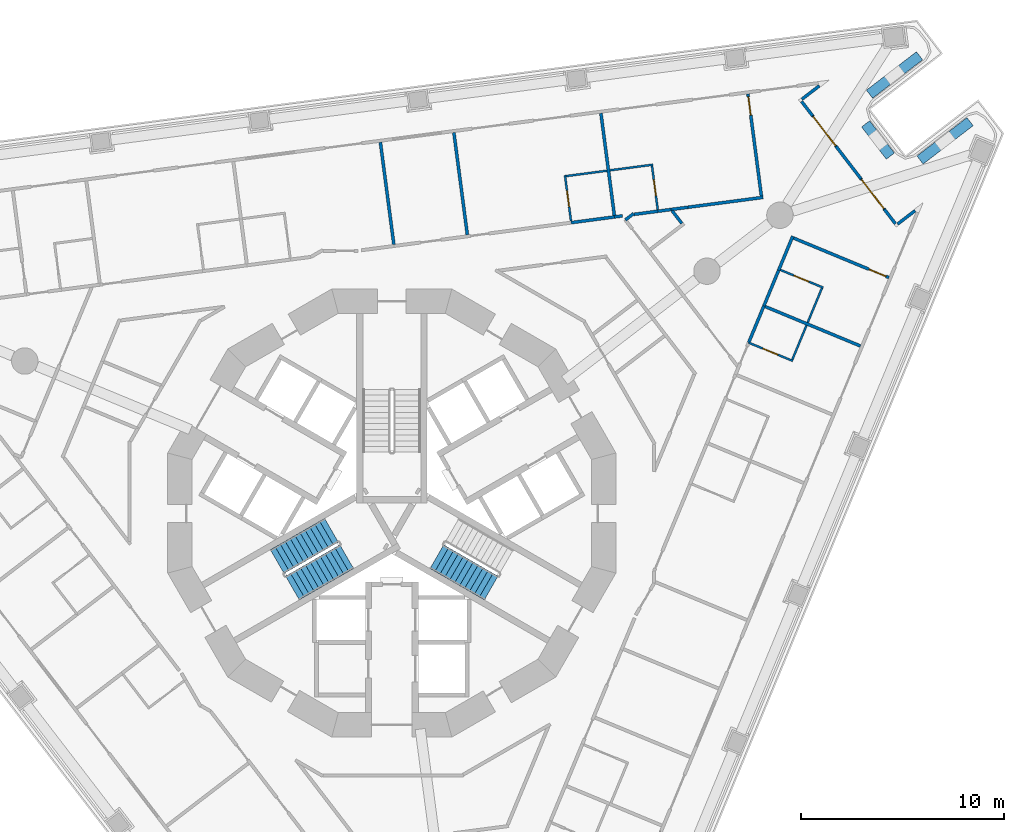
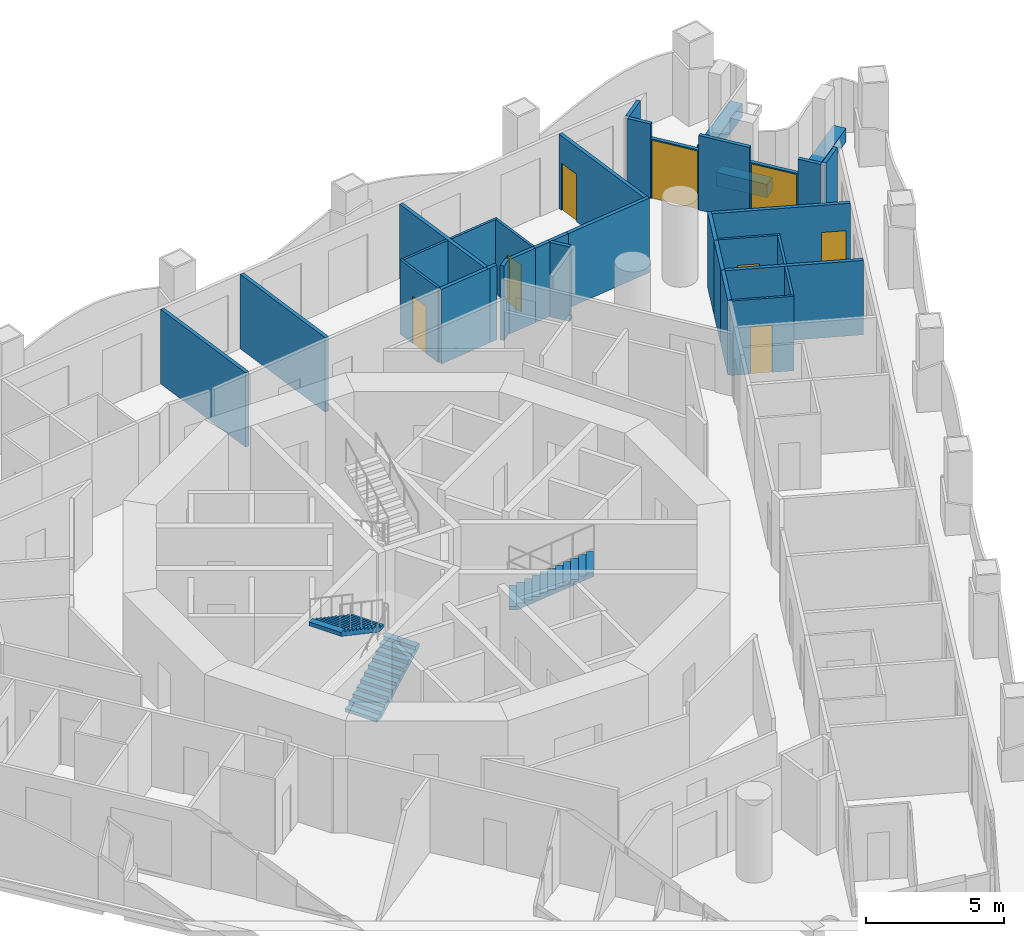
# One storey, part 10 of 19: 35 walls, 8 doors, 3 stair flights, 8 openings, 2 elements without a shape of their own.
"""IFC4 building model written with IfcOpenShell, lengths in metres."""

from ifc_helpers import new_model, si_unit, direction, frame, frame_2d, origin, place, context, subcontext, project, spatial, polyline, rectangle, outline, extrude, material, layer, layer_set, type_object, element, fill, aggregate, save


model = new_model("IFC4")

# Units and contexts
model_context = context("Model", 3, precision=1e-05, world=origin(), true_north=direction((0.0, 1.0)))
body_context = subcontext(model_context, "Body", "Model", "MODEL_VIEW")
ifc_project = project(units=[si_unit("LENGTHUNIT", "METRE"), si_unit("AREAUNIT", "SQUARE_METRE"), si_unit("VOLUMEUNIT", "CUBIC_METRE"), si_unit("PLANEANGLEUNIT", "RADIAN"), si_unit("MASSUNIT", "GRAM", prefix="KILO")], contexts=[model_context])

# Site, building, storey
site_placement = place(None, origin())
site = spatial("IfcSite", under=ifc_project, at=site_placement, CompositionType="ELEMENT")
building_placement = place(site_placement, origin())
building = spatial("IfcBuilding", under=site, at=building_placement, Name="Trine Commons Tower", CompositionType="ELEMENT")
storey_placement = place(building_placement, frame((0.0, 0.0, 61.199951171875)))
storey = spatial("IfcBuildingStorey", under=building, at=storey_placement, Name="L14", CompositionType="ELEMENT", Elevation=61.199951171875)

# Walls
ifc_material_1 = material(Name="Aluminium-framed insulated wall panel", Category="aluminium")
ifc_layer_1 = layer(ifc_material_1, 0.14990234375)
ifc_layer_set_1 = layer_set([ifc_layer_1], Name="Aluminium-framed insulated wall panel")
wall_type_1 = type_object("IfcWallType", Name="Glazed frame wall 150, EI 60", PredefinedType="SOLIDWALL", material=ifc_layer_set_1)
wall_1_placement = place(storey_placement, frame((101.129150390625, 83.584716796875, 0.0), z_axis=(0.0, 0.0, 1.0), x_axis=(-0.79337253673, -0.608736410905, 0.0)))
element("IfcWall", 1, at=wall_1_placement, inside=storey, type_object=wall_type_1, Name="Glazed frame wall R5", PredefinedType="SOLIDWALL", context=body_context, shape_type="SweptSolid", body=[
    extrude(outline(polyline([(0.1494140625, 0.074951171875), (0.1494140625, -0.074951171875), (1.235107421875, -0.074951171875), (1.235107421875, 0.074951171875), (0.1494140625, 0.074951171875)])), origin(), (0.0, 0.0, 1.0), 3.300048828125),
])
wall_2_placement = place(storey_placement, frame((100.068603515625, 82.81494140625, 0.0), z_axis=(0.0, 0.0, 1.0), x_axis=(0.608908114293, -0.793240763166, 0.0)))
element("IfcWall", 2, at=wall_2_placement, inside=storey, type_object=wall_type_1, Name="Glazed frame wall P2.1", PredefinedType="SOLIDWALL", context=body_context, shape_type="SweptSolid", body=[
    extrude(outline(polyline([(0.110107421875, -0.074951171875), (1.0, -0.074951171875), (1.0, 0.074951171875), (0.110107421875, 0.074951171875), (0.110107421875, -0.074951171875)])), origin(), (0.0, 0.0, 1.0), 3.300048828125),
])

# Wall, opening, door
wall_3_placement = place(storey_placement, frame((100.677490234375, 82.021728515625, 0.0), z_axis=(0.0, 0.0, 1.0), x_axis=(0.608722862036, -0.793382932281, 0.0)))
wall_3 = element("IfcWall", 3, at=wall_3_placement, inside=storey, type_object=wall_type_1, Name="Glazed frame wall P2.2", PredefinedType="SOLIDWALL", context=body_context, shape_type="SweptSolid", body=[
    extrude(outline(polyline([(0.0, -0.074951171875), (1.89990234375, -0.074951171875), (1.89990234375, 0.074951171875), (0.0, 0.074951171875), (0.0, -0.074951171875)])), origin(), (0.0, 0.0, 1.0), 2.650146484375),
])
opening_1_placement = place(wall_3_placement, frame((0.050048828125, 0.0, 0.0)))
opening_1 = element("IfcOpeningElement", 4, at=opening_1_placement, cuts=wall_3, Name="Opening BD-2P2-01", PredefinedType="OPENING", context=body_context, shape_type="SweptSolid", body=[
    extrude(rectangle(XDim=1.800048828125, YDim=2.60009765625, at=frame_2d((0.89990234375, 1.300048828125))), frame((0.0, 0.0849609375, 0.0), z_axis=(0.0, -1.0, 0.0), x_axis=(1.0, 0.0, 0.0)), (0.0, 0.0, 1.0), 0.169921875),
])
ifc_material_2 = material(Name="Anodised aluminium frame with double glazing", Category="aluminium")
door_type_1 = type_object("IfcDoorType", Name="Sliding loggia door 1800x2600", OperationType="SLIDING_TO_LEFT", PredefinedType="DOOR", material=ifc_material_2)
door_1_placement = place(opening_1_placement, origin())
door_1 = element("IfcDoor", 5, at=door_1_placement, inside=storey, type_object=door_type_1, Name="Loggia door P2 1", OperationType="SLIDING_TO_LEFT", OverallHeight=2.60009765625, OverallWidth=1.800048828125, PredefinedType="DOOR", context=body_context, shape_type="SweptSolid", body=[
    extrude(rectangle(XDim=1.800048828125, YDim=2.60009765625, at=frame_2d((0.89990234375, 1.300048828125))), frame((0.0, 0.02490234375, 0.0), z_axis=(0.0, -1.0, 0.0), x_axis=(1.0, 0.0, 0.0)), (0.0, 0.0, 1.0), 0.050048828125),
])
fill(opening_1, door_1)

# Wall
wall_4_placement = place(storey_placement, frame((101.833984375, 80.514404296875, 0.0), z_axis=(0.0, 0.0, 1.0), x_axis=(0.608713379391, -0.793390207748, 0.0)))
element("IfcWall", 6, at=wall_4_placement, inside=storey, type_object=wall_type_1, Name="Glazed frame wall P2.3", PredefinedType="SOLIDWALL", context=body_context, shape_type="SweptSolid", body=[
    extrude(outline(polyline([(0.0, -0.074951171875), (2.0, -0.074951171875), (2.0, 0.074951171875), (0.0, 0.074951171875), (0.0, -0.074951171875)])), origin(), (0.0, 0.0, 1.0), 3.300048828125),
])

# Wall, opening, door
wall_5_placement = place(storey_placement, frame((103.051513671875, 78.927490234375, 0.0), z_axis=(0.0, 0.0, 1.0), x_axis=(0.608803740143, -0.793320872023, 0.0)))
wall_5 = element("IfcWall", 7, at=wall_5_placement, inside=storey, type_object=wall_type_1, Name="Glazed frame wall P2.4", PredefinedType="SOLIDWALL", context=body_context, shape_type="SweptSolid", body=[
    extrude(outline(polyline([(0.0, -0.074951171875), (1.89990234375, -0.074951171875), (1.89990234375, 0.074951171875), (0.0, 0.074951171875), (0.0, -0.074951171875)])), origin(), (0.0, 0.0, 1.0), 2.650146484375),
])
opening_2_placement = place(wall_5_placement, frame((0.050048828125, 0.0, 0.0)))
opening_2 = element("IfcOpeningElement", 8, at=opening_2_placement, cuts=wall_5, Name="Opening BD-2P2-02", PredefinedType="OPENING", context=body_context, shape_type="SweptSolid", body=[
    extrude(rectangle(XDim=1.800048828125, YDim=2.60009765625, at=frame_2d((0.89990234375, 1.300048828125))), frame((0.0, 0.0849609375, 0.0), z_axis=(0.0, -1.0, 0.0), x_axis=(1.0, 0.0, 0.0)), (0.0, 0.0, 1.0), 0.169921875),
])
door_2_placement = place(opening_2_placement, origin())
door_2 = element("IfcDoor", 9, at=door_2_placement, inside=storey, type_object=door_type_1, Name="Loggia door P2 2", OperationType="SLIDING_TO_LEFT", OverallHeight=2.60009765625, OverallWidth=1.800048828125, PredefinedType="DOOR", context=body_context, shape_type="SweptSolid", body=[
    extrude(rectangle(XDim=1.800048828125, YDim=2.60009765625, at=frame_2d((0.89990234375, 1.300048828125))), frame((0.0, 0.02490234375, 0.0), z_axis=(0.0, -1.0, 0.0), x_axis=(1.0, 0.0, 0.0)), (0.0, 0.0, 1.0), 0.050048828125),
])
fill(opening_2, door_2)

# Walls
wall_6_placement = place(storey_placement, frame((104.208251953125, 77.420166015625, 0.0), z_axis=(0.0, 0.0, 1.0), x_axis=(0.608754453805, -0.793358692504, 0.0)))
element("IfcWall", 10, at=wall_6_placement, inside=storey, type_object=wall_type_1, Name="Glazed frame wall P2.5", PredefinedType="SOLIDWALL", context=body_context, shape_type="SweptSolid", body=[
    extrude(outline(polyline([(0.889892578125, 0.074951171875), (0.0, 0.074951171875), (0.0, -0.074951171875), (0.889892578125, -0.074951171875), (0.889892578125, 0.074951171875)])), origin(), (0.0, 0.0, 1.0), 3.300048828125),
])
wall_7_placement = place(storey_placement, frame((104.767822265625, 76.63330078125, 0.0), z_axis=(0.0, 0.0, 1.0), x_axis=(0.793352136239, 0.608762998157, 0.0)))
element("IfcWall", 11, at=wall_7_placement, inside=storey, type_object=wall_type_1, Name="Glazed frame wall R7", PredefinedType="SOLIDWALL", context=body_context, shape_type="SweptSolid", body=[
    extrude(outline(polyline([(0.110107421875, 0.074951171875), (0.110107421875, -0.074951171875), (1.19580078125, -0.074951171875), (1.19580078125, 0.074951171875), (0.110107421875, 0.074951171875)])), origin(), (0.0, 0.0, 1.0), 3.300048828125),
])
ifc_material_3 = material(Name="Planter trough, precast concrete C40/50", Category="concrete")
ifc_layer_2 = layer(ifc_material_3, 0.5)
ifc_layer_set_2 = layer_set([ifc_layer_2], Name="Planter trough, precast concrete C40/50")
wall_type_2 = type_object("IfcWallType", Name="Planter trough 500x600", PredefinedType="PARAPET", material=ifc_layer_set_2)
wall_8_placement = place(storey_placement, frame((105.933349609375, 84.970703125, 0.0), z_axis=(0.0, 0.0, 1.0), x_axis=(-0.793355321014, -0.608758847671, 0.0)))
element("IfcWall", 12, at=wall_8_placement, inside=storey, type_object=wall_type_2, Name="Planter 4", PredefinedType="PARAPET", context=body_context, shape_type="SweptSolid", body=[
    extrude(rectangle(XDim=3.10009765625, YDim=0.5, at=frame_2d((1.550048828125, 0.0))), origin(), (0.0, 0.0, 1.0), 0.60009765625),
])
wall_9_placement = place(storey_placement, frame((103.281982421875, 81.625244140625, 0.0), z_axis=(0.0, 0.0, 1.0), x_axis=(0.608772331974, -0.793344974033, 0.0)))
element("IfcWall", 13, at=wall_9_placement, inside=storey, type_object=wall_type_2, Name="Planter 5", PredefinedType="PARAPET", context=body_context, shape_type="SweptSolid", body=[
    extrude(rectangle(XDim=2.0, YDim=0.5, at=frame_2d((1.0, 0.0))), origin(), (0.0, 0.0, 1.0), 0.60009765625),
])
wall_10_placement = place(storey_placement, frame((105.95751953125, 79.8466796875, 0.0), z_axis=(0.0, 0.0, 1.0), x_axis=(0.793355321014, 0.608758847671, 0.0)))
element("IfcWall", 14, at=wall_10_placement, inside=storey, type_object=wall_type_2, Name="Planter 6", PredefinedType="PARAPET", context=body_context, shape_type="SweptSolid", body=[
    extrude(rectangle(XDim=3.10009765625, YDim=0.5, at=frame_2d((1.550048828125, 0.0))), origin(), (0.0, 0.0, 1.0), 0.60009765625),
])
ifc_material_4 = material(Name="Gypsum plasterboard on steel stud", Category="steel")
ifc_layer_3 = layer(ifc_material_4, 0.14990234375)
ifc_layer_set_3 = layer_set([ifc_layer_3], Name="Gypsum plasterboard on steel stud")
wall_type_3 = type_object("IfcWallType", Name="Unit and corridor wall 150 mm, EI 60", PredefinedType="PARTITIONING", material=ifc_layer_set_3)
wall_11_placement = place(storey_placement, frame((79.439208984375, 80.71923828125, 0.0), z_axis=(0.0, 0.0, 1.0), x_axis=(0.130505643681, -0.991447566424, 0.0)))
element("IfcWall", 15, at=wall_11_placement, inside=storey, type_object=wall_type_3, Name="Partition 079", PredefinedType="PARTITIONING", context=body_context, shape_type="SweptSolid", body=[
    extrude(rectangle(XDim=5.06396484375, YDim=0.14990234375, at=frame_2d((2.531982421875, 0.0))), origin(), (0.0, 0.0, 1.0), 3.300048828125),
])
wall_12_placement = place(storey_placement, frame((83.05126953125, 81.1953125, 0.0), z_axis=(0.0, 0.0, 1.0), x_axis=(0.130499406053, -0.991448387471, 0.0)))
element("IfcWall", 16, at=wall_12_placement, inside=storey, type_object=wall_type_3, Name="Partition 083", PredefinedType="PARTITIONING", context=body_context, shape_type="SweptSolid", body=[
    extrude(rectangle(XDim=5.064208984375, YDim=0.14990234375, at=frame_2d((2.5322265625, 0.0))), origin(), (0.0, 0.0, 1.0), 3.300048828125),
])
wall_13_placement = place(storey_placement, frame((88.81201171875, 76.77001953125, 0.0), z_axis=(0.0, 0.0, 1.0), x_axis=(0.991424492634, 0.13068081499, 0.0)))
element("IfcWall", 17, at=wall_13_placement, inside=storey, type_object=wall_type_3, Name="Partition 107", PredefinedType="PARTITIONING", context=body_context, shape_type="SweptSolid", body=[
    extrude(rectangle(XDim=2.232421875, YDim=0.14990234375, at=frame_2d((1.1162109375, 0.0))), origin(), (0.0, 0.0, 1.0), 3.300048828125),
])
wall_14_placement = place(storey_placement, frame((90.276123046875, 82.146240234375, 0.0), z_axis=(0.0, 0.0, 1.0), x_axis=(0.130553032561, -0.991441327406, 0.0)))
element("IfcWall", 18, at=wall_14_placement, inside=storey, type_object=wall_type_3, Name="Partition 114", PredefinedType="PARTITIONING", context=body_context, shape_type="SweptSolid", body=[
    extrude(rectangle(XDim=5.064208984375, YDim=0.14990234375, at=frame_2d((2.5322265625, 0.0))), origin(), (0.0, 0.0, 1.0), 3.300048828125),
])
wall_15_placement = place(storey_placement, frame((90.935302734375, 77.050048828125, 0.0), z_axis=(0.0, 0.0, 1.0), x_axis=(0.991508240123, 0.130043876322, 0.0)))
element("IfcWall", 19, at=wall_15_placement, inside=storey, type_object=wall_type_3, Name="Partition 120", PredefinedType="PARTITIONING", context=body_context, shape_type="SweptSolid", body=[
    extrude(rectangle(XDim=0.39990234375, YDim=0.14990234375, at=frame_2d((0.199951171875, 0.0))), origin(), (0.0, 0.0, 1.0), 3.300048828125),
])
wall_16_placement = place(storey_placement, frame((91.47607421875, 76.903076171875, 0.0), z_axis=(0.0, 0.0, 1.0), x_axis=(0.794371473226, 0.607432269908, 0.0)))
element("IfcWall", 20, at=wall_16_placement, inside=storey, type_object=wall_type_3, Name="Partition 124", PredefinedType="PARTITIONING", context=body_context, shape_type="SweptSolid", body=[
    extrude(rectangle(XDim=0.508056640625, YDim=0.14990234375, at=frame_2d((0.25390625, 0.0))), origin(), (0.0, 0.0, 1.0), 3.300048828125),
])
wall_17_placement = place(storey_placement, frame((91.894287109375, 77.17578125, 0.0), z_axis=(0.0, 0.0, 1.0), x_axis=(0.991471614011, 0.130322824598, 0.0)))
element("IfcWall", 21, at=wall_17_placement, inside=storey, type_object=wall_type_3, Name="Partition 125", PredefinedType="PARTITIONING", context=body_context, shape_type="SweptSolid", body=[
    extrude(rectangle(XDim=1.198974609375, YDim=0.14990234375, at=frame_2d((0.599609375, 0.0))), origin(), (0.0, 0.0, 1.0), 3.300048828125),
])
wall_18_placement = place(storey_placement, frame((93.074951171875, 77.3310546875, 0.0), z_axis=(0.0, 0.0, 1.0), x_axis=(0.991453033969, 0.130464100171, 0.0)))
element("IfcWall", 22, at=wall_18_placement, inside=storey, type_object=wall_type_3, Name="Partition 134", PredefinedType="PARTITIONING", context=body_context, shape_type="SweptSolid", body=[
    extrude(rectangle(XDim=0.65869140625, YDim=0.14990234375, at=frame_2d((0.329345703125, 0.0))), origin(), (0.0, 0.0, 1.0), 3.300048828125),
])
wall_19_placement = place(storey_placement, frame((93.773681640625, 77.357421875, 0.0), z_axis=(0.0, 0.0, 1.0), x_axis=(0.609485891215, -0.792796914985, 0.0)))
element("IfcWall", 23, at=wall_19_placement, inside=storey, type_object=wall_type_3, Name="Partition 135", PredefinedType="PARTITIONING", context=body_context, shape_type="SweptSolid", body=[
    extrude(rectangle(XDim=0.787109375, YDim=0.14990234375, at=frame_2d((0.3935546875, 0.0))), origin(), (0.0, 0.0, 1.0), 3.300048828125),
])
wall_20_placement = place(storey_placement, frame((93.72802734375, 77.4169921875, 0.0), z_axis=(0.0, 0.0, 1.0), x_axis=(0.991356991582, 0.131191902348, 0.0)))
element("IfcWall", 24, at=wall_20_placement, inside=storey, type_object=wall_type_3, Name="Partition 136", PredefinedType="PARTITIONING", context=body_context, shape_type="SweptSolid", body=[
    extrude(rectangle(XDim=0.83935546875, YDim=0.14990234375, at=frame_2d((0.419677734375, 0.0))), origin(), (0.0, 0.0, 1.0), 3.300048828125),
])
wall_21_placement = place(storey_placement, frame((94.56005859375, 77.527099609375, 0.0), z_axis=(0.0, 0.0, 1.0), x_axis=(0.991468816947, 0.130344102367, 0.0)))
element("IfcWall", 25, at=wall_21_placement, inside=storey, type_object=wall_type_3, Name="Partition 137", PredefinedType="PARTITIONING", context=body_context, shape_type="SweptSolid", body=[
    extrude(rectangle(XDim=3.718017578125, YDim=0.14990234375, at=frame_2d((1.85888671875, 0.0))), origin(), (0.0, 0.0, 1.0), 3.300048828125),
])

# Wall, opening, door
wall_22_placement = place(storey_placement, frame((97.501220703125, 83.097412109375, 0.0), z_axis=(0.0, 0.0, 1.0), x_axis=(0.130499406053, -0.991448387471, 0.0)))
wall_22 = element("IfcWall", 26, at=wall_22_placement, inside=storey, type_object=wall_type_3, Name="Partition 147", PredefinedType="PARTITIONING", context=body_context, shape_type="SweptSolid", body=[
    extrude(rectangle(XDim=5.064208984375, YDim=0.14990234375, at=frame_2d((2.5322265625, 0.0))), origin(), (0.0, 0.0, 1.0), 3.300048828125),
])
opening_3_placement = place(wall_22_placement, frame((0.14990234375, 0.0, 0.0)))
opening_3 = element("IfcOpeningElement", 27, at=opening_3_placement, cuts=wall_22, Name="Opening D-2B13", PredefinedType="OPENING", context=body_context, shape_type="SweptSolid", body=[
    extrude(rectangle(XDim=0.89990234375, YDim=2.10009765625, at=frame_2d((0.449951171875, 1.050048828125))), frame((0.0, 0.0849609375, 0.0), z_axis=(0.0, -1.0, 0.0), x_axis=(1.0, 0.0, 0.0)), (0.0, 0.0, 1.0), 0.169921875),
])
ifc_material_5 = material(Name="Timber fire door set", Category="wood")
door_type_2 = type_object("IfcDoorType", Name="Bedroom door 900 x 2100, FD30S", OperationType="NOTDEFINED", PredefinedType="DOOR", material=ifc_material_5)
door_3_placement = place(opening_3_placement, frame((0.89990234375, 0.0, 0.0), z_axis=(0.0, 0.0, 1.0), x_axis=(-1.0, 0.0, 0.0)))
door_3 = element("IfcDoor", 28, at=door_3_placement, inside=storey, type_object=door_type_2, Name="Door D-2B13", OperationType="SINGLE_SWING_RIGHT", OverallHeight=2.10009765625, OverallWidth=0.89990234375, PredefinedType="DOOR", context=body_context, shape_type="SweptSolid", body=[
    extrude(rectangle(XDim=0.89990234375, YDim=2.10009765625, at=frame_2d((0.449951171875, 1.050048828125))), frame((0.0, 0.02490234375, 0.0), z_axis=(0.0, -1.0, 0.0), x_axis=(1.0, 0.0, 0.0)), (0.0, 0.0, 1.0), 0.050048828125),
])
fill(opening_3, door_3)

# Walls
wall_23_placement = place(storey_placement, frame((97.534912109375, 70.868896484375, 0.0), z_axis=(0.0, 0.0, 1.0), x_axis=(0.382822590874, 0.92382187889, 0.0)))
element("IfcWall", 29, at=wall_23_placement, inside=storey, type_object=wall_type_3, Name="Partition 148", PredefinedType="PARTITIONING", context=body_context, shape_type="SweptSolid", body=[
    extrude(rectangle(XDim=1.9541015625, YDim=0.14990234375, at=frame_2d((0.97705078125, 0.0))), origin(), (0.0, 0.0, 1.0), 3.300048828125),
])
wall_24_placement = place(storey_placement, frame((98.282958984375, 72.674072265625, 0.0), z_axis=(0.0, 0.0, 1.0), x_axis=(0.382440102022, 0.923980285702, 0.0)))
element("IfcWall", 30, at=wall_24_placement, inside=storey, type_object=wall_type_3, Name="Partition 152", PredefinedType="PARTITIONING", context=body_context, shape_type="SweptSolid", body=[
    extrude(rectangle(XDim=1.953369140625, YDim=0.14990234375, at=frame_2d((0.9765625, 0.0))), origin(), (0.0, 0.0, 1.0), 3.300048828125),
])
wall_25_placement = place(storey_placement, frame((98.352294921875, 72.645263671875, 0.0), z_axis=(0.0, 0.0, 1.0), x_axis=(0.923879340067, -0.382683896966, 0.0)))
element("IfcWall", 31, at=wall_25_placement, inside=storey, type_object=wall_type_3, Name="Partition 153", PredefinedType="PARTITIONING", context=body_context, shape_type="SweptSolid", body=[
    extrude(rectangle(XDim=5.064208984375, YDim=0.14990234375, at=frame_2d((2.5322265625, 0.0))), origin(), (0.0, 0.0, 1.0), 3.300048828125),
])
wall_26_placement = place(storey_placement, frame((99.0078125, 74.42578125, 0.0), z_axis=(0.0, 0.0, 1.0), x_axis=(0.382978779623, 0.923757140356, 0.0)))
element("IfcWall", 32, at=wall_26_placement, inside=storey, type_object=wall_type_3, Name="Partition 154", PredefinedType="PARTITIONING", context=body_context, shape_type="SweptSolid", body=[
    extrude(rectangle(XDim=1.822509765625, YDim=0.14990234375, at=frame_2d((0.9111328125, 0.0))), origin(), (0.0, 0.0, 1.0), 3.300048828125),
])

# Wall, opening, door
wall_27_placement = place(storey_placement, frame((99.746337890625, 76.01123046875, 0.0), z_axis=(0.0, 0.0, 1.0), x_axis=(0.923879340067, -0.382683896966, 0.0)))
wall_27 = element("IfcWall", 33, at=wall_27_placement, inside=storey, type_object=wall_type_3, Name="Partition 157", PredefinedType="PARTITIONING", context=body_context, shape_type="SweptSolid", body=[
    extrude(rectangle(XDim=5.064208984375, YDim=0.14990234375, at=frame_2d((2.5322265625, 0.0))), origin(), (0.0, 0.0, 1.0), 3.300048828125),
])
opening_4_placement = place(wall_27_placement, frame((4.01416015625, 0.0, 0.0)))
opening_4 = element("IfcOpeningElement", 34, at=opening_4_placement, cuts=wall_27, Name="Opening D-2B14", PredefinedType="OPENING", context=body_context, shape_type="SweptSolid", body=[
    extrude(rectangle(XDim=0.89990234375, YDim=2.10009765625, at=frame_2d((0.449951171875, 1.050048828125))), frame((0.0, 0.0849609375, 0.0), z_axis=(0.0, -1.0, 0.0), x_axis=(1.0, 0.0, 0.0)), (0.0, 0.0, 1.0), 0.169921875),
])
door_4_placement = place(opening_4_placement, frame((0.89990234375, 0.0, 0.0), z_axis=(0.0, 0.0, 1.0), x_axis=(-1.0, 0.0, 0.0)))
door_4 = element("IfcDoor", 35, at=door_4_placement, inside=storey, type_object=door_type_2, Name="Door D-2B14", OperationType="SINGLE_SWING_LEFT", OverallHeight=2.10009765625, OverallWidth=0.89990234375, PredefinedType="DOOR", context=body_context, shape_type="SweptSolid", body=[
    extrude(rectangle(XDim=0.89990234375, YDim=2.10009765625, at=frame_2d((0.449951171875, 1.050048828125))), frame((0.0, 0.02490234375, 0.0), z_axis=(0.0, -1.0, 0.0), x_axis=(1.0, 0.0, 0.0)), (0.0, 0.0, 1.0), 0.050048828125),
])
fill(opening_4, door_4)

ifc_layer_4 = layer(ifc_material_4, 0.10009765625)
ifc_layer_set_4 = layer_set([ifc_layer_4], Name="Gypsum plasterboard on steel stud")
wall_type_4 = type_object("IfcWallType", Name="Unit partition 100 mm, no rating", PredefinedType="PARTITIONING", material=ifc_layer_set_4)
wall_28_placement = place(storey_placement, frame((88.508544921875, 79.1005859375, 0.0), z_axis=(0.0, 0.0, 1.0), x_axis=(0.13083486939, -0.991404174367, 0.0)))
wall_28 = element("IfcWall", 36, at=wall_28_placement, inside=storey, type_object=wall_type_4, Name="Partition 104", PredefinedType="PARTITIONING", context=body_context, shape_type="SweptSolid", body=[
    extrude(rectangle(XDim=2.274658203125, YDim=0.10009765625, at=frame_2d((1.13720703125, 0.0))), origin(), (0.0, 0.0, 1.0), 3.300048828125),
])
opening_5_placement = place(wall_28_placement, frame((0.762451171875, 0.0, 0.0)))
opening_5 = element("IfcOpeningElement", 37, at=opening_5_placement, cuts=wall_28, Name="Opening D-2B42", PredefinedType="OPENING", context=body_context, shape_type="SweptSolid", body=[
    extrude(rectangle(XDim=0.800048828125, YDim=2.10009765625, at=frame_2d((0.39990234375, 1.050048828125))), frame((0.0, 0.06005859375, 0.0), z_axis=(0.0, -1.0, 0.0), x_axis=(1.0, 0.0, 0.0)), (0.0, 0.0, 1.0), 0.1201171875),
])
ifc_material_6 = material(Name="Painted timber", Category="wood")
door_type_3 = type_object("IfcDoorType", Name="Internal door 800 x 2100, NOT RATED", OperationType="NOTDEFINED", PredefinedType="DOOR", material=ifc_material_6)
door_5_placement = place(opening_5_placement, frame((0.800048828125, 0.0, 0.0), z_axis=(0.0, 0.0, 1.0), x_axis=(-1.0, 0.0, 0.0)))
door_5 = element("IfcDoor", 38, at=door_5_placement, inside=storey, type_object=door_type_3, Name="Door D-2B42", OperationType="SINGLE_SWING_LEFT", OverallHeight=2.10009765625, OverallWidth=0.800048828125, PredefinedType="DOOR", context=body_context, shape_type="SweptSolid", body=[
    extrude(rectangle(XDim=0.800048828125, YDim=2.10009765625, at=frame_2d((0.39990234375, 1.050048828125))), frame((0.0, 0.02490234375, 0.0), z_axis=(0.0, -1.0, 0.0), x_axis=(1.0, 0.0, 0.0)), (0.0, 0.0, 1.0), 0.050048828125),
])
fill(opening_5, door_5)

# Walls
wall_29_placement = place(storey_placement, frame((88.564697265625, 79.0576171875, 0.0), z_axis=(0.0, 0.0, 1.0), x_axis=(0.99148709198, 0.130205016943, 0.0)))
element("IfcWall", 39, at=wall_29_placement, inside=storey, type_object=wall_type_4, Name="Partition 105", PredefinedType="PARTITIONING", context=body_context, shape_type="SweptSolid", body=[
    extrude(rectangle(XDim=2.025146484375, YDim=0.10009765625, at=frame_2d((1.0126953125, 0.0))), origin(), (0.0, 0.0, 1.0), 3.300048828125),
])
wall_30_placement = place(storey_placement, frame((90.721435546875, 79.3408203125, 0.0), z_axis=(0.0, 0.0, 1.0), x_axis=(0.991434344141, 0.130606053677, 0.0)))
element("IfcWall", 40, at=wall_30_placement, inside=storey, type_object=wall_type_4, Name="Partition 116", PredefinedType="PARTITIONING", context=body_context, shape_type="SweptSolid", body=[
    extrude(rectangle(XDim=2.12548828125, YDim=0.10009765625, at=frame_2d((1.062744140625, 0.0))), origin(), (0.0, 0.0, 1.0), 3.300048828125),
])

# Wall, opening, door
wall_31_placement = place(storey_placement, frame((92.785400390625, 79.5625, 0.0), z_axis=(0.0, 0.0, 1.0), x_axis=(0.130457416757, -0.991453913409, 0.0)))
wall_31 = element("IfcWall", 41, at=wall_31_placement, inside=storey, type_object=wall_type_4, Name="Partition 128", PredefinedType="PARTITIONING", context=body_context, shape_type="SweptSolid", body=[
    extrude(rectangle(XDim=2.174560546875, YDim=0.10009765625, at=frame_2d((1.08740234375, 0.0))), origin(), (0.0, 0.0, 1.0), 3.300048828125),
])
opening_6_placement = place(wall_31_placement, frame((0.687255859375, 0.0, 0.0)))
opening_6 = element("IfcOpeningElement", 42, at=opening_6_placement, cuts=wall_31, Name="Opening D-2B43", PredefinedType="OPENING", context=body_context, shape_type="SweptSolid", body=[
    extrude(rectangle(XDim=0.800048828125, YDim=2.10009765625, at=frame_2d((0.39990234375, 1.050048828125))), frame((0.0, 0.06005859375, 0.0), z_axis=(0.0, -1.0, 0.0), x_axis=(1.0, 0.0, 0.0)), (0.0, 0.0, 1.0), 0.1201171875),
])
door_6_placement = place(opening_6_placement, origin())
door_6 = element("IfcDoor", 43, at=door_6_placement, inside=storey, type_object=door_type_3, Name="Door D-2B43", OperationType="SINGLE_SWING_LEFT", OverallHeight=2.10009765625, OverallWidth=0.800048828125, PredefinedType="DOOR", context=body_context, shape_type="SweptSolid", body=[
    extrude(rectangle(XDim=0.800048828125, YDim=2.10009765625, at=frame_2d((0.39990234375, 1.050048828125))), frame((0.0, 0.02490234375, 0.0), z_axis=(0.0, -1.0, 0.0), x_axis=(1.0, 0.0, 0.0)), (0.0, 0.0, 1.0), 0.050048828125),
])
fill(opening_6, door_6)

wall_32_placement = place(storey_placement, frame((97.537109375, 70.8720703125, 0.0), z_axis=(0.0, 0.0, 1.0), x_axis=(0.923901614008, -0.382630118564, 0.0)))
wall_32 = element("IfcWall", 44, at=wall_32_placement, inside=storey, type_object=wall_type_4, Name="Partition 149", PredefinedType="PARTITIONING", context=body_context, shape_type="SweptSolid", body=[
    extrude(rectangle(XDim=2.349853515625, YDim=0.10009765625, at=frame_2d((1.1748046875, 0.0))), origin(), (0.0, 0.0, 1.0), 3.300048828125),
])
opening_7_placement = place(wall_32_placement, frame((0.75, 0.0, 0.0)))
opening_7 = element("IfcOpeningElement", 45, at=opening_7_placement, cuts=wall_32, Name="Opening D-2B45", PredefinedType="OPENING", context=body_context, shape_type="SweptSolid", body=[
    extrude(rectangle(XDim=0.800048828125, YDim=2.10009765625, at=frame_2d((0.39990234375, 1.050048828125))), frame((0.0, 0.06005859375, 0.0), z_axis=(0.0, -1.0, 0.0), x_axis=(1.0, 0.0, 0.0)), (0.0, 0.0, 1.0), 0.1201171875),
])
door_7_placement = place(opening_7_placement, frame((0.800048828125, 0.0, 0.0), z_axis=(0.0, 0.0, 1.0), x_axis=(-1.0, 0.0, 0.0)))
door_7 = element("IfcDoor", 46, at=door_7_placement, inside=storey, type_object=door_type_3, Name="Door D-2B45", OperationType="SINGLE_SWING_RIGHT", OverallHeight=2.10009765625, OverallWidth=0.800048828125, PredefinedType="DOOR", context=body_context, shape_type="SweptSolid", body=[
    extrude(rectangle(XDim=0.800048828125, YDim=2.10009765625, at=frame_2d((0.39990234375, 1.050048828125))), frame((0.0, 0.02490234375, 0.0), z_axis=(0.0, -1.0, 0.0), x_axis=(1.0, 0.0, 0.0)), (0.0, 0.0, 1.0), 0.050048828125),
])
fill(opening_7, door_7)

wall_33_placement = place(storey_placement, frame((99.098388671875, 74.4462890625, 0.0), z_axis=(0.0, 0.0, 1.0), x_axis=(0.923916126796, -0.382595073996, 0.0)))
wall_33 = element("IfcWall", 47, at=wall_33_placement, inside=storey, type_object=wall_type_4, Name="Partition 155", PredefinedType="PARTITIONING", context=body_context, shape_type="SweptSolid", body=[
    extrude(rectangle(XDim=2.27490234375, YDim=0.10009765625, at=frame_2d((1.137451171875, 0.0))), origin(), (0.0, 0.0, 1.0), 3.300048828125),
])
opening_8_placement = place(wall_33_placement, frame((0.71240234375, 0.0, 0.0)))
opening_8 = element("IfcOpeningElement", 48, at=opening_8_placement, cuts=wall_33, Name="Opening D-2B44", PredefinedType="OPENING", context=body_context, shape_type="SweptSolid", body=[
    extrude(rectangle(XDim=0.800048828125, YDim=2.10009765625, at=frame_2d((0.39990234375, 1.050048828125))), frame((0.0, 0.06005859375, 0.0), z_axis=(0.0, -1.0, 0.0), x_axis=(1.0, 0.0, 0.0)), (0.0, 0.0, 1.0), 0.1201171875),
])
door_8_placement = place(opening_8_placement, origin())
door_8 = element("IfcDoor", 49, at=door_8_placement, inside=storey, type_object=door_type_3, Name="Door D-2B44", OperationType="SINGLE_SWING_LEFT", OverallHeight=2.10009765625, OverallWidth=0.800048828125, PredefinedType="DOOR", context=body_context, shape_type="SweptSolid", body=[
    extrude(rectangle(XDim=0.800048828125, YDim=2.10009765625, at=frame_2d((0.39990234375, 1.050048828125))), frame((0.0, 0.02490234375, 0.0), z_axis=(0.0, -1.0, 0.0), x_axis=(1.0, 0.0, 0.0)), (0.0, 0.0, 1.0), 0.050048828125),
])
fill(opening_8, door_8)

# Walls
wall_34_placement = place(storey_placement, frame((99.68115234375, 70.0380859375, 0.0), z_axis=(0.0, 0.0, 1.0), x_axis=(0.382525049986, 0.923945120737, 0.0)))
element("IfcWall", 50, at=wall_34_placement, inside=storey, type_object=wall_type_4, Name="Partition 156", PredefinedType="PARTITIONING", context=body_context, shape_type="SweptSolid", body=[
    extrude(rectangle(XDim=1.825439453125, YDim=0.10009765625, at=frame_2d((0.91259765625, 0.0))), origin(), (0.0, 0.0, 1.0), 3.300048828125),
])
wall_35_placement = place(storey_placement, frame((100.436767578125, 71.86328125, 0.0), z_axis=(0.0, 0.0, 1.0), x_axis=(0.382714221705, 0.923866778548, 0.0)))
element("IfcWall", 51, at=wall_35_placement, inside=storey, type_object=wall_type_4, Name="Partition 158", PredefinedType="PARTITIONING", context=body_context, shape_type="SweptSolid", body=[
    extrude(rectangle(XDim=1.824462890625, YDim=0.10009765625, at=frame_2d((0.912109375, 0.0))), origin(), (0.0, 0.0, 1.0), 3.300048828125),
])

# Stair, stair flights
ifc_material_7 = material(Name="Concrete C50/60", Category="concrete")
stair_type = type_object("IfcStairType", Name="Exit stair, dog-leg, 24 risers of 150 mm", PredefinedType="HALF_TURN_STAIR", material=ifc_material_7)
stair_1_placement = place(storey_placement, origin())
stair_1 = element("IfcStair", 52, at=stair_1_placement, inside=storey, type_object=stair_type, Name="L14 Exit stair ST2A", PredefinedType="HALF_TURN_STAIR")
stair_flight_type = type_object("IfcStairFlightType", Name="Stair flight, 1350 wide, 12 risers of 150 mm", PredefinedType="STRAIGHT", material=ifc_material_7)
stair_flight_1_placement = place(storey_placement, frame((75.11767578125, 58.815185546875, 0.0), z_axis=(0.0, 0.0, 1.0), x_axis=(0.866025403784, 0.5, 0.0)))
stair_flight_1 = element("IfcStairFlight", 53, at=stair_flight_1_placement, type_object=stair_flight_type, Name="ST2A flight 1", NumberOfRisers=12, NumberOfTreads=11, PredefinedType="STRAIGHT", RiserHeight=0.15, TreadLength=0.28, context=body_context, shape_type="SweptSolid", body=[
    extrude(outline(polyline([(0.0, 0.0), (0.0, 0.14990234375), (0.280029296875, 0.14990234375), (0.280029296875, 0.300048828125), (0.56005859375, 0.300048828125), (0.56005859375, 0.449951171875), (0.840087890625, 0.449951171875), (0.840087890625, 0.60009765625), (1.1201171875, 0.60009765625), (1.1201171875, 0.75), (1.39990234375, 0.75), (1.39990234375, 0.89990234375), (1.679931640625, 0.89990234375), (1.679931640625, 1.050048828125), (1.9599609375, 1.050048828125), (1.9599609375, 1.199951171875), (2.239990234375, 1.199951171875), (2.239990234375, 1.35009765625), (2.52001953125, 1.35009765625), (2.52001953125, 1.5), (2.800048828125, 1.5), (2.800048828125, 1.64990234375), (3.080078125, 1.64990234375), (3.080078125, 1.800048828125), (3.080078125, 1.47998046875), (0.3173828125, 0.0), (0.0, 0.0)])), frame((0.0, 0.675048828125, 0.0), z_axis=(0.0, -1.0, 0.0), x_axis=(1.0, 0.0, 0.0)), (0.0, 0.0, 1.0), 1.35009765625),
])
stair_flight_2_placement = place(storey_placement, frame((77.03515625, 61.654296875, 1.800048828125), z_axis=(0.0, 0.0, 1.0), x_axis=(-0.866025403784, -0.5, 0.0)))
stair_flight_2 = element("IfcStairFlight", 54, at=stair_flight_2_placement, type_object=stair_flight_type, Name="ST2A flight 2", NumberOfRisers=12, NumberOfTreads=11, PredefinedType="STRAIGHT", RiserHeight=0.15, TreadLength=0.28, context=body_context, shape_type="SweptSolid", body=[
    extrude(outline(polyline([(0.0, 0.0), (0.0, 0.14990234375), (0.280029296875, 0.14990234375), (0.280029296875, 0.300048828125), (0.56005859375, 0.300048828125), (0.56005859375, 0.449951171875), (0.840087890625, 0.449951171875), (0.840087890625, 0.60009765625), (1.1201171875, 0.60009765625), (1.1201171875, 0.75), (1.39990234375, 0.75), (1.39990234375, 0.89990234375), (1.679931640625, 0.89990234375), (1.679931640625, 1.050048828125), (1.9599609375, 1.050048828125), (1.9599609375, 1.199951171875), (2.239990234375, 1.199951171875), (2.239990234375, 1.35009765625), (2.52001953125, 1.35009765625), (2.52001953125, 1.5), (2.800048828125, 1.5), (2.800048828125, 1.64990234375), (3.080078125, 1.64990234375), (3.080078125, 1.800048828125), (3.080078125, 1.47998046875), (0.3173828125, 0.0), (0.0, 0.0)])), frame((0.0, 0.675048828125, 0.0), z_axis=(0.0, -1.0, 0.0), x_axis=(1.0, 0.0, 0.0)), (0.0, 0.0, 1.0), 1.35009765625),
])
aggregate(stair_1, [stair_flight_1, stair_flight_2])

# Stair, stair flight
stair_2_placement = place(storey_placement, origin())
stair_2 = element("IfcStair", 55, at=stair_2_placement, inside=storey, type_object=stair_type, Name="L14 Exit stair ST3A", PredefinedType="HALF_TURN_STAIR")
stair_flight_3_placement = place(storey_placement, frame((82.21484375, 60.355224609375, 1.800048828125), z_axis=(0.0, 0.0, 1.0), x_axis=(0.866025403784, -0.5, 0.0)))
stair_flight_3 = element("IfcStairFlight", 56, at=stair_flight_3_placement, type_object=stair_flight_type, Name="ST3A flight 2", NumberOfRisers=12, NumberOfTreads=11, PredefinedType="STRAIGHT", RiserHeight=0.15, TreadLength=0.28, context=body_context, shape_type="SweptSolid", body=[
    extrude(outline(polyline([(0.0, 0.0), (0.0, 0.14990234375), (0.280029296875, 0.14990234375), (0.280029296875, 0.300048828125), (0.56005859375, 0.300048828125), (0.56005859375, 0.449951171875), (0.840087890625, 0.449951171875), (0.840087890625, 0.60009765625), (1.1201171875, 0.60009765625), (1.1201171875, 0.75), (1.39990234375, 0.75), (1.39990234375, 0.89990234375), (1.679931640625, 0.89990234375), (1.679931640625, 1.050048828125), (1.9599609375, 1.050048828125), (1.9599609375, 1.199951171875), (2.239990234375, 1.199951171875), (2.239990234375, 1.35009765625), (2.52001953125, 1.35009765625), (2.52001953125, 1.5), (2.800048828125, 1.5), (2.800048828125, 1.64990234375), (3.080078125, 1.64990234375), (3.080078125, 1.800048828125), (3.080078125, 1.47998046875), (0.3173828125, 0.0), (0.0, 0.0)])), frame((0.0, 0.675048828125, 0.0), z_axis=(0.0, -1.0, 0.0), x_axis=(1.0, 0.0, 0.0)), (0.0, 0.0, 1.0), 1.35009765625),
])
aggregate(stair_2, [stair_flight_3])

save(model, "model.ifc")
